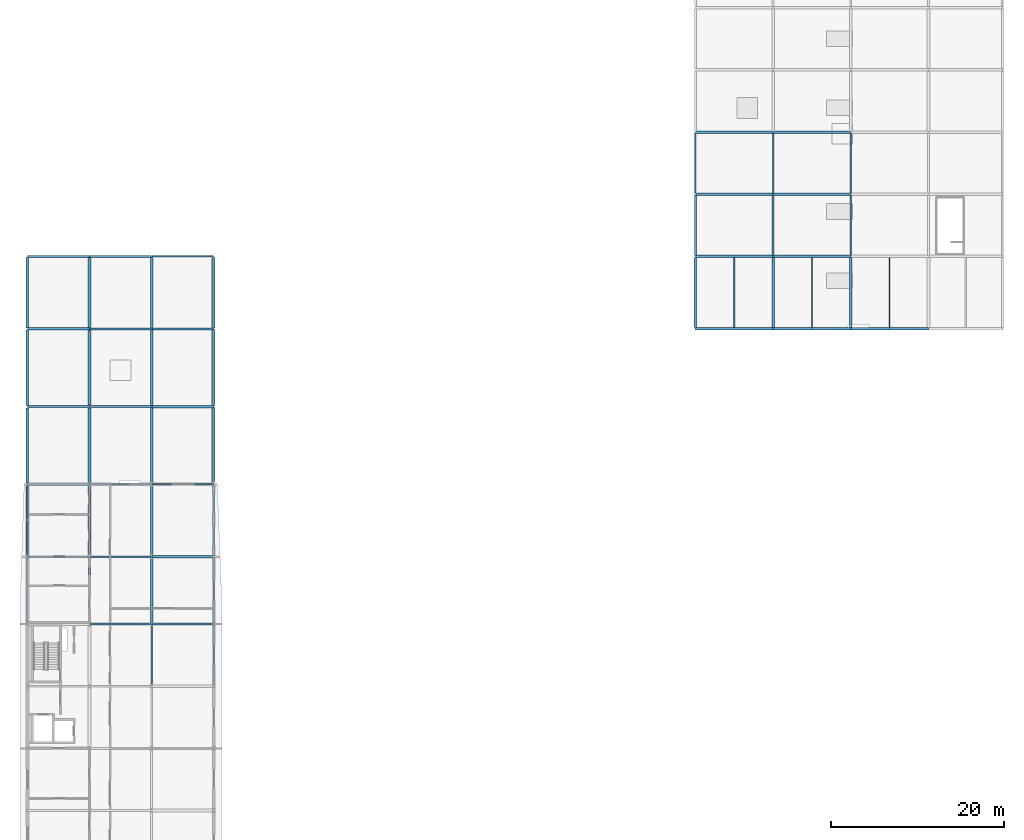
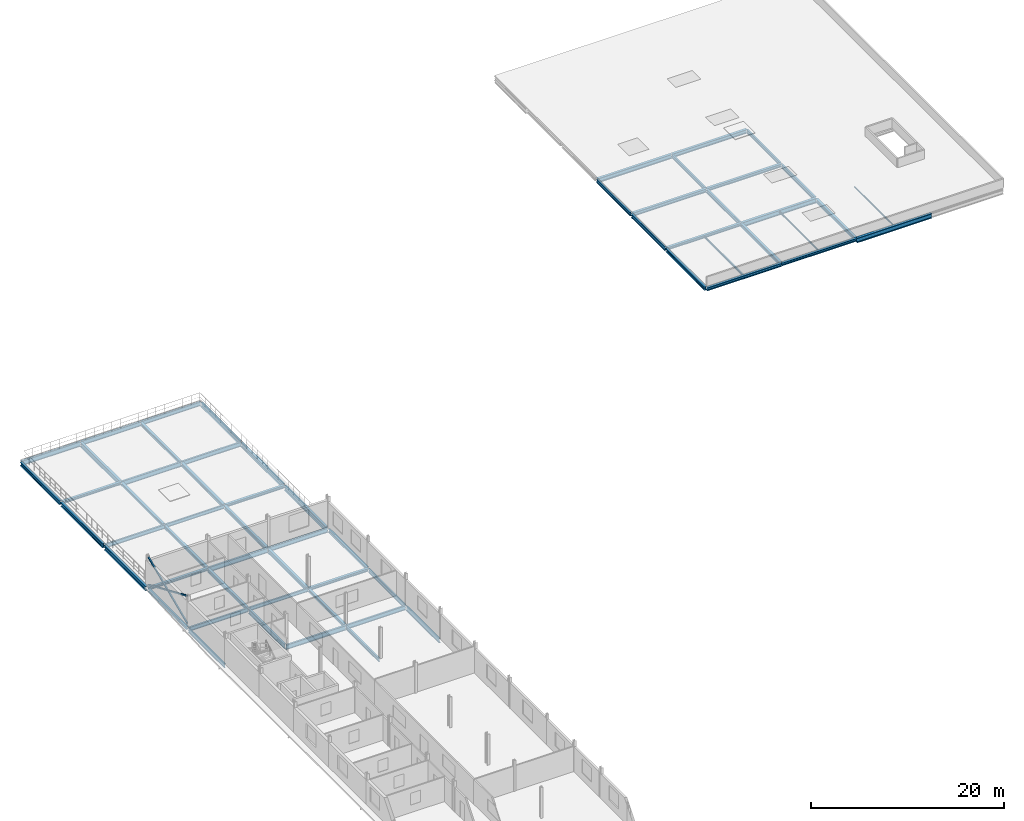
# One storey, part 5 of 17: 60 beams, 3 members.
"""IFC4 building model written with IfcOpenShell, lengths in metres."""

from ifc_helpers import new_model, si_unit, direction, frame, origin, origin_2d, place, context, subcontext, project, spatial, hollow_rectangle, i_section, extrude, material, material_profile, profile_set, type_object, element, save


model = new_model("IFC4")

# Units and contexts
model_context = context("Model", 3, precision=1e-05, world=origin(), true_north=direction((0.0, 1.0)))
body_context = subcontext(model_context, "Body", "Model", "MODEL_VIEW")
ifc_project = project(units=[si_unit("LENGTHUNIT", "METRE"), si_unit("AREAUNIT", "SQUARE_METRE"), si_unit("VOLUMEUNIT", "CUBIC_METRE"), si_unit("PLANEANGLEUNIT", "RADIAN"), si_unit("MASSUNIT", "GRAM", prefix="KILO")], contexts=[model_context])

# Site, building, storey
site_placement = place(None, origin())
site = spatial("IfcSite", under=ifc_project, at=site_placement, CompositionType="ELEMENT")
building_placement = place(site_placement, origin())
building = spatial("IfcBuilding", under=site, at=building_placement, Name="Vinh Khe Railworks Police Headquarters", CompositionType="ELEMENT")
storey_placement = place(building_placement, frame((0.0, 0.0, 24.89990234375)))
storey = spatial("IfcBuildingStorey", under=building, at=storey_placement, Name="L06", CompositionType="ELEMENT", Elevation=24.89990234375)

# Members
ifc_material = material(Name="Steel S355JR", Category="steel")
ifc_material_profile_1 = material_profile(ifc_material, hollow_rectangle(XDim=0.159912109375, YDim=0.159912109375, WallThickness=0.010009765625, at=origin_2d()), Name="SHS 160x160x10")
ifc_profile_set_1 = profile_set([ifc_material_profile_1], Name="Steel S355JR")
member_type = type_object("IfcMemberType", Name="Concentric Brace SHS 160x160x10", PredefinedType="BRACE", material=ifc_profile_set_1)
member_1_placement = place(storey_placement, frame((0.60009765625, 96.175048828125, 0.2001953125), z_axis=(0.0, 0.917878840109, 0.396860724788), x_axis=(-1.0, 0.0, 0.0)))
element("IfcMember", 1, at=member_1_placement, inside=storey, type_object=member_type, Name="Continuous Concentric Brace MEM-BR-L06-BR-04-043", PredefinedType="BRACE", context=body_context, shape_type="SweptSolid", body=[
    extrude(hollow_rectangle(XDim=0.159912109375, YDim=0.159912109375, WallThickness=0.010009765625, at=origin_2d()), origin(), (0.0, 0.0, 1.0), 8.8193359375),
])
member_2_placement = place(storey_placement, frame((0.60009765625, 96.175048828125, 3.7001953125), z_axis=(0.0, 0.917867592773, -0.396886737164), x_axis=(-1.0, 0.0, 0.0)))
element("IfcMember", 2, at=member_2_placement, inside=storey, type_object=member_type, Name="Split X-Brace Segment MEM-BR-L06-BR-04-044 (2A)", PredefinedType="BRACE", context=body_context, shape_type="SweptSolid", body=[
    extrude(hollow_rectangle(XDim=0.159912109375, YDim=0.159912109375, WallThickness=0.010009765625, at=origin_2d()), origin(), (0.0, 0.0, 1.0), 4.326171875),
])
member_3_placement = place(storey_placement, frame((0.60009765625, 100.298828125, 1.9169921875), z_axis=(0.0, 0.917897036117, -0.396818637525), x_axis=(-1.0, 0.0, 0.0)))
element("IfcMember", 3, at=member_3_placement, inside=storey, type_object=member_type, Name="Split X-Brace Segment MEM-BR-L06-BR-04-045 (2B)", PredefinedType="BRACE", context=body_context, shape_type="SweptSolid", body=[
    extrude(hollow_rectangle(XDim=0.159912109375, YDim=0.159912109375, WallThickness=0.010009765625, at=origin_2d()), origin(), (0.0, 0.0, 1.0), 4.326416015625),
])

# Beams
ifc_material_profile_2 = material_profile(ifc_material, i_section(OverallWidth=0.08203125, OverallDepth=0.159912109375, WebThickness=0.0048828125, FlangeThickness=0.00732421875, FilletRadius=0.009033203125, at=origin_2d()), Name="IPE 160")
ifc_profile_set_2 = profile_set([ifc_material_profile_2], Name="Steel S355JR")
beam_type_1 = type_object("IfcBeamType", Name="Secondary Joist IPE 160", PredefinedType="JOIST", material=ifc_profile_set_2)
beam_1_placement = place(storey_placement, frame((100.5, 122.550048828125, -0.27978515625), z_axis=(0.0, 1.0, 0.0), x_axis=(-1.0, 0.0, 0.0)))
element("IfcBeam", 4, at=beam_1_placement, inside=storey, type_object=beam_type_1, Name="Secondary Joist JST-L06-SJ-08-0047", PredefinedType="JOIST", context=body_context, shape_type="SweptSolid", body=[
    extrude(i_section(OverallWidth=0.08203125, OverallDepth=0.159912109375, WebThickness=0.0048828125, FlangeThickness=0.00732421875, FilletRadius=0.009033203125, at=origin_2d()), origin(), (0.0, 0.0, 1.0), 8.099853515625),
])
ifc_material_profile_3 = material_profile(ifc_material, i_section(OverallWidth=0.10009765625, OverallDepth=0.199951171875, WebThickness=0.005615234375, FlangeThickness=0.008544921875, FilletRadius=0.011962890625, at=origin_2d()), Name="IPE 200")
ifc_profile_set_3 = profile_set([ifc_material_profile_3], Name="Steel S355JR")
beam_type_2 = type_object("IfcBeamType", Name="Secondary Joist IPE 200", PredefinedType="JOIST", material=ifc_profile_set_3)
beam_2_placement = place(storey_placement, frame((91.5, 122.550048828125, -0.2998046875), z_axis=(0.0, 1.0, 0.0), x_axis=(-1.0, 0.0, 0.0)))
element("IfcBeam", 5, at=beam_2_placement, inside=storey, type_object=beam_type_2, Name="Secondary Joist JST-L06-SJ-06-0046", PredefinedType="JOIST", context=body_context, shape_type="SweptSolid", body=[
    extrude(i_section(OverallWidth=0.10009765625, OverallDepth=0.199951171875, WebThickness=0.005615234375, FlangeThickness=0.008544921875, FilletRadius=0.011962890625, at=origin_2d()), origin(), (0.0, 0.0, 1.0), 8.099853515625),
])
ifc_material_profile_4 = material_profile(ifc_material, i_section(OverallWidth=0.1201171875, OverallDepth=0.239990234375, WebThickness=0.006103515625, FlangeThickness=0.009765625, FilletRadius=0.014892578125, at=origin_2d()), Name="IPE 240")
ifc_profile_set_4 = profile_set([ifc_material_profile_4], Name="Steel S355JR")
beam_type_3 = type_object("IfcBeamType", Name="Secondary Joist IPE 240", PredefinedType="JOIST", material=ifc_profile_set_4)
beam_3_placement = place(storey_placement, frame((82.5, 122.550048828125, -0.31982421875), z_axis=(0.0, 1.0, 0.0), x_axis=(-1.0, 0.0, 0.0)))
element("IfcBeam", 6, at=beam_3_placement, inside=storey, type_object=beam_type_3, Name="Secondary Joist JST-L06-SJ-04-0045", PredefinedType="JOIST", context=body_context, shape_type="SweptSolid", body=[
    extrude(i_section(OverallWidth=0.1201171875, OverallDepth=0.239990234375, WebThickness=0.006103515625, FlangeThickness=0.009765625, FilletRadius=0.014892578125, at=origin_2d()), origin(), (0.0, 0.0, 1.0), 8.099853515625),
])
ifc_material_profile_5 = material_profile(ifc_material, i_section(OverallWidth=0.300048828125, OverallDepth=0.330078125, WebThickness=0.009521484375, FlangeThickness=0.0166015625, FilletRadius=0.027099609375, at=origin_2d()), Name="HEA 340")
ifc_profile_set_5 = profile_set([ifc_material_profile_5], Name="Steel S355JR")
beam_type_4 = type_object("IfcBeamType", Name="Steel Girder HEA 340", PredefinedType="BEAM", material=ifc_profile_set_5)
for number, where, z_axis, x_axis, name in (
    (7, (0.6201171875, 104.39990234375, -0.364990234375), (1.0, 0.0, 0.0), (0.0, 1.0, 0.0), "Girder BM-L06-EW-SB-16-1706"),
    (8, (0.6201171875, 122.39990234375, -0.364990234375), (1.0, 0.0, 0.0), (0.0, 1.0, 0.0), "Girder BM-L06-EW-SB-16-1712"),
):
    element("IfcBeam", number, at=place(storey_placement, frame(where, z_axis=z_axis, x_axis=x_axis)), inside=storey, type_object=beam_type_4, Name=name, PredefinedType="BEAM", context=body_context, shape_type="SweptSolid", body=[
        extrude(i_section(OverallWidth=0.300048828125, OverallDepth=0.330078125, WebThickness=0.009521484375, FlangeThickness=0.0166015625, FilletRadius=0.027099609375, at=origin_2d()), origin(), (0.0, 0.0, 1.0), 7.159912109375),
    ])
ifc_material_profile_6 = material_profile(ifc_material, i_section(OverallWidth=0.300048828125, OverallDepth=0.35009765625, WebThickness=0.010009765625, FlangeThickness=0.017578125, FilletRadius=0.027099609375, at=origin_2d()), Name="HEA 360")
ifc_profile_set_6 = profile_set([ifc_material_profile_6], Name="Steel S355JR")
beam_type_5 = type_object("IfcBeamType", Name="Steel Girder HEA 360", PredefinedType="BEAM", material=ifc_profile_set_6)
for number, where, z_axis, x_axis, name in (
    (9, (15.02001953125, 96.0, -0.375), (1.0, 0.0, 0.0), (0.0, 1.0, 0.0), "Girder BM-L06-EW-SB-15-1705"),
    (10, (15.02001953125, 113.39990234375, -0.375), (1.0, 0.0, 0.0), (0.0, 1.0, 0.0), "Girder BM-L06-EW-SB-15-1711"),
):
    element("IfcBeam", number, at=place(storey_placement, frame(where, z_axis=z_axis, x_axis=x_axis)), inside=storey, type_object=beam_type_5, Name=name, PredefinedType="BEAM", context=body_context, shape_type="SweptSolid", body=[
        extrude(i_section(OverallWidth=0.300048828125, OverallDepth=0.35009765625, WebThickness=0.010009765625, FlangeThickness=0.017578125, FilletRadius=0.027099609375, at=origin_2d()), origin(), (0.0, 0.0, 1.0), 7.159912109375),
    ])
for number, where, z_axis, x_axis, name in (
    (11, (87.02001953125, 122.39990234375, -0.375), (1.0, 0.0, 0.0), (0.0, 1.0, 0.0), "Girder BM-L06-EW-SB-15-1716"),
    (12, (78.02001953125, 130.800048828125, -0.375), (1.0, 0.0, 0.0), (0.0, 1.0, 0.0), "Girder BM-L06-EW-SB-15-1722"),
):
    element("IfcBeam", number, at=place(storey_placement, frame(where, z_axis=z_axis, x_axis=x_axis)), inside=storey, type_object=beam_type_5, Name=name, PredefinedType="BEAM", context=body_context, shape_type="SweptSolid", body=[
        extrude(i_section(OverallWidth=0.300048828125, OverallDepth=0.35009765625, WebThickness=0.010009765625, FlangeThickness=0.017578125, FilletRadius=0.027099609375, at=origin_2d()), origin(), (0.0, 0.0, 1.0), 8.9599609375),
    ])
beam_4_placement = place(storey_placement, frame((0.60009765625, 96.14990234375, -0.375), z_axis=(0.0, 1.0, 0.0), x_axis=(-1.0, 0.0, 0.0)))
element("IfcBeam", 13, at=beam_4_placement, inside=storey, type_object=beam_type_5, Name="Girder BM-L06-NS-SB-15-1758", PredefinedType="BEAM", context=body_context, shape_type="SweptSolid", body=[
    extrude(i_section(OverallWidth=0.300048828125, OverallDepth=0.35009765625, WebThickness=0.010009765625, FlangeThickness=0.017578125, FilletRadius=0.027099609375, at=origin_2d()), origin(), (0.0, 0.0, 1.0), 8.02001953125),
])
beam_5_placement = place(storey_placement, frame((7.800048828125, 113.554931640625, -0.375), z_axis=(0.0, 1.0, 0.0), x_axis=(-1.0, 0.0, 0.0)))
element("IfcBeam", 14, at=beam_5_placement, inside=storey, type_object=beam_type_5, Name="Girder BM-L06-NS-SB-15-1776", PredefinedType="BEAM", context=body_context, shape_type="SweptSolid", body=[
    extrude(i_section(OverallWidth=0.300048828125, OverallDepth=0.35009765625, WebThickness=0.010009765625, FlangeThickness=0.017578125, FilletRadius=0.027099609375, at=origin_2d()), origin(), (0.0, 0.0, 1.0), 8.699951171875),
])
beam_6_placement = place(storey_placement, frame((15.0, 88.405029296875, -0.375), z_axis=(0.0, 1.0, 0.0), x_axis=(-1.0, 0.0, 0.0)))
element("IfcBeam", 15, at=beam_6_placement, inside=storey, type_object=beam_type_5, Name="Girder BM-L06-NS-SB-15-1789", PredefinedType="BEAM", context=body_context, shape_type="SweptSolid", body=[
    extrude(i_section(OverallWidth=0.300048828125, OverallDepth=0.35009765625, WebThickness=0.010009765625, FlangeThickness=0.017578125, FilletRadius=0.027099609375, at=origin_2d()), origin(), (0.0, 0.0, 1.0), 7.4150390625),
])
beam_7_placement = place(storey_placement, frame((22.199951171875, 96.110107421875, -0.375), z_axis=(0.0, 1.0, 0.0), x_axis=(-1.0, 0.0, 0.0)))
element("IfcBeam", 16, at=beam_7_placement, inside=storey, type_object=beam_type_5, Name="Girder BM-L06-NS-SB-15-1806", PredefinedType="BEAM", context=body_context, shape_type="SweptSolid", body=[
    extrude(i_section(OverallWidth=0.300048828125, OverallDepth=0.35009765625, WebThickness=0.010009765625, FlangeThickness=0.017578125, FilletRadius=0.027099609375, at=origin_2d()), origin(), (0.0, 0.0, 1.0), 8.06494140625),
])
ifc_material_profile_7 = material_profile(ifc_material, i_section(OverallWidth=0.300048828125, OverallDepth=0.389892578125, WebThickness=0.010986328125, FlangeThickness=0.01904296875, FilletRadius=0.027099609375, at=origin_2d()), Name="HEA 400")
ifc_profile_set_7 = profile_set([ifc_material_profile_7], Name="Steel S355JR")
beam_type_6 = type_object("IfcBeamType", Name="Steel Girder HEA 400", PredefinedType="BEAM", material=ifc_profile_set_7)
for number, where, z_axis, x_axis, name in (
    (17, (78.02001953125, 122.39990234375, -0.39501953125), (1.0, 0.0, 0.0), (0.0, 1.0, 0.0), "Girder BM-L06-EW-SB-14-1715"),
    (18, (87.02001953125, 138.0, -0.39501953125), (1.0, 0.0, 0.0), (0.0, 1.0, 0.0), "Girder BM-L06-EW-SB-14-1727"),
):
    element("IfcBeam", number, at=place(storey_placement, frame(where, z_axis=z_axis, x_axis=x_axis)), inside=storey, type_object=beam_type_6, Name=name, PredefinedType="BEAM", context=body_context, shape_type="SweptSolid", body=[
        extrude(i_section(OverallWidth=0.300048828125, OverallDepth=0.389892578125, WebThickness=0.010986328125, FlangeThickness=0.01904296875, FilletRadius=0.027099609375, at=origin_2d()), origin(), (0.0, 0.0, 1.0), 8.9599609375),
    ])
beam_8_placement = place(storey_placement, frame((7.800048828125, 104.550048828125, -0.39501953125), z_axis=(0.0, 1.0, 0.0), x_axis=(-1.0, 0.0, 0.0)))
element("IfcBeam", 19, at=beam_8_placement, inside=storey, type_object=beam_type_6, Name="Girder BM-L06-NS-SB-14-1775", PredefinedType="BEAM", context=body_context, shape_type="SweptSolid", body=[
    extrude(i_section(OverallWidth=0.300048828125, OverallDepth=0.389892578125, WebThickness=0.010986328125, FlangeThickness=0.01904296875, FilletRadius=0.027099609375, at=origin_2d()), origin(), (0.0, 0.0, 1.0), 8.695068359375),
])
beam_9_placement = place(storey_placement, frame((15.0, 122.554931640625, -0.39501953125), z_axis=(0.0, 1.0, 0.0), x_axis=(-1.0, 0.0, 0.0)))
element("IfcBeam", 20, at=beam_9_placement, inside=storey, type_object=beam_type_6, Name="Girder BM-L06-NS-SB-14-1793", PredefinedType="BEAM", context=body_context, shape_type="SweptSolid", body=[
    extrude(i_section(OverallWidth=0.300048828125, OverallDepth=0.389892578125, WebThickness=0.010986328125, FlangeThickness=0.01904296875, FilletRadius=0.027099609375, at=origin_2d()), origin(), (0.0, 0.0, 1.0), 8.10009765625),
])
ifc_material_profile_8 = material_profile(ifc_material, i_section(OverallWidth=0.300048828125, OverallDepth=0.43994140625, WebThickness=0.011474609375, FlangeThickness=0.02099609375, FilletRadius=0.027099609375, at=origin_2d()), Name="HEA 450")
ifc_profile_set_8 = profile_set([ifc_material_profile_8], Name="Steel S355JR")
beam_type_7 = type_object("IfcBeamType", Name="Steel Girder HEA 450", PredefinedType="BEAM", material=ifc_profile_set_8)
beam_10_placement = place(storey_placement, frame((78.02001953125, 138.0, -0.419921875), z_axis=(1.0, 0.0, 0.0), x_axis=(0.0, 1.0, 0.0)))
element("IfcBeam", 21, at=beam_10_placement, inside=storey, type_object=beam_type_7, Name="Girder BM-L06-EW-SB-13-1726", PredefinedType="BEAM", context=body_context, shape_type="SweptSolid", body=[
    extrude(i_section(OverallWidth=0.300048828125, OverallDepth=0.43994140625, WebThickness=0.011474609375, FlangeThickness=0.02099609375, FilletRadius=0.027099609375, at=origin_2d()), origin(), (0.0, 0.0, 1.0), 8.9599609375),
])
beam_11_placement = place(storey_placement, frame((7.800048828125, 96.159912109375, -0.419921875), z_axis=(0.0, 1.0, 0.0), x_axis=(-1.0, 0.0, 0.0)))
element("IfcBeam", 22, at=beam_11_placement, inside=storey, type_object=beam_type_7, Name="Girder BM-L06-NS-SB-13-1774", PredefinedType="BEAM", context=body_context, shape_type="SweptSolid", body=[
    extrude(i_section(OverallWidth=0.300048828125, OverallDepth=0.43994140625, WebThickness=0.011474609375, FlangeThickness=0.02099609375, FilletRadius=0.027099609375, at=origin_2d()), origin(), (0.0, 0.0, 1.0), 8.090087890625),
])
beam_12_placement = place(storey_placement, frame((15.0, 113.4951171875, -0.419921875), z_axis=(0.0, 1.0, 0.0), x_axis=(-1.0, 0.0, 0.0)))
element("IfcBeam", 23, at=beam_12_placement, inside=storey, type_object=beam_type_7, Name="Girder BM-L06-NS-SB-13-1792", PredefinedType="BEAM", context=body_context, shape_type="SweptSolid", body=[
    extrude(i_section(OverallWidth=0.300048828125, OverallDepth=0.43994140625, WebThickness=0.011474609375, FlangeThickness=0.02099609375, FilletRadius=0.027099609375, at=origin_2d()), origin(), (0.0, 0.0, 1.0), 8.75),
])
for number, where, z_axis, x_axis, name in (
    (24, (78.0, 122.544921875, -0.419921875), (0.0, 1.0, 0.0), (-1.0, 0.0, 0.0), "Girder BM-L06-NS-SB-13-1810"),
    (25, (87.0, 122.544921875, -0.419921875), (0.0, 1.0, 0.0), (-1.0, 0.0, 0.0), "Girder BM-L06-NS-SB-13-1816"),
    (26, (96.0, 122.544921875, -0.419921875), (0.0, 1.0, 0.0), (-1.0, 0.0, 0.0), "Girder BM-L06-NS-SB-13-1822"),
):
    element("IfcBeam", number, at=place(storey_placement, frame(where, z_axis=z_axis, x_axis=x_axis)), inside=storey, type_object=beam_type_7, Name=name, PredefinedType="BEAM", context=body_context, shape_type="SweptSolid", body=[
        extrude(i_section(OverallWidth=0.300048828125, OverallDepth=0.43994140625, WebThickness=0.011474609375, FlangeThickness=0.02099609375, FilletRadius=0.027099609375, at=origin_2d()), origin(), (0.0, 0.0, 1.0), 8.130126953125),
    ])
ifc_material_profile_9 = material_profile(ifc_material, i_section(OverallWidth=0.300048828125, OverallDepth=0.489990234375, WebThickness=0.011962890625, FlangeThickness=0.02294921875, FilletRadius=0.027099609375, at=origin_2d()), Name="HEA 500")
ifc_profile_set_9 = profile_set([ifc_material_profile_9], Name="Steel S355JR")
beam_type_8 = type_object("IfcBeamType", Name="Steel Girder HEA 500", PredefinedType="BEAM", material=ifc_profile_set_9)
beam_13_placement = place(storey_placement, frame((87.02001953125, 145.199951171875, -0.44482421875), z_axis=(1.0, 0.0, 0.0), x_axis=(0.0, 1.0, 0.0)))
element("IfcBeam", 27, at=beam_13_placement, inside=storey, type_object=beam_type_8, Name="Girder BM-L06-EW-SB-12-1731", PredefinedType="BEAM", context=body_context, shape_type="SweptSolid", body=[
    extrude(i_section(OverallWidth=0.300048828125, OverallDepth=0.489990234375, WebThickness=0.011962890625, FlangeThickness=0.02294921875, FilletRadius=0.027099609375, at=origin_2d()), origin(), (0.0, 0.0, 1.0), 8.9599609375),
])
beam_14_placement = place(storey_placement, frame((0.60009765625, 122.52490234375, -0.44482421875), z_axis=(0.0, 1.0, 0.0), x_axis=(-1.0, 0.0, 0.0)))
element("IfcBeam", 28, at=beam_14_placement, inside=storey, type_object=beam_type_8, Name="Girder BM-L06-NS-SB-12-1761", PredefinedType="BEAM", context=body_context, shape_type="SweptSolid", body=[
    extrude(i_section(OverallWidth=0.300048828125, OverallDepth=0.489990234375, WebThickness=0.011962890625, FlangeThickness=0.02294921875, FilletRadius=0.027099609375, at=origin_2d()), origin(), (0.0, 0.0, 1.0), 8.16015625),
])
beam_15_placement = place(storey_placement, frame((15.0, 104.56005859375, -0.44482421875), z_axis=(0.0, 1.0, 0.0), x_axis=(-1.0, 0.0, 0.0)))
element("IfcBeam", 29, at=beam_15_placement, inside=storey, type_object=beam_type_8, Name="Girder BM-L06-NS-SB-12-1791", PredefinedType="BEAM", context=body_context, shape_type="SweptSolid", body=[
    extrude(i_section(OverallWidth=0.300048828125, OverallDepth=0.489990234375, WebThickness=0.011962890625, FlangeThickness=0.02294921875, FilletRadius=0.027099609375, at=origin_2d()), origin(), (0.0, 0.0, 1.0), 8.744873046875),
])
beam_16_placement = place(storey_placement, frame((22.199951171875, 122.4951171875, -0.44482421875), z_axis=(0.0, 1.0, 0.0), x_axis=(-1.0, 0.0, 0.0)))
element("IfcBeam", 30, at=beam_16_placement, inside=storey, type_object=beam_type_8, Name="Girder BM-L06-NS-SB-12-1809", PredefinedType="BEAM", context=body_context, shape_type="SweptSolid", body=[
    extrude(i_section(OverallWidth=0.300048828125, OverallDepth=0.489990234375, WebThickness=0.011962890625, FlangeThickness=0.02294921875, FilletRadius=0.027099609375, at=origin_2d()), origin(), (0.0, 0.0, 1.0), 8.14990234375),
])
ifc_material_profile_10 = material_profile(ifc_material, i_section(OverallWidth=0.300048828125, OverallDepth=0.5400390625, WebThickness=0.012451171875, FlangeThickness=0.02392578125, FilletRadius=0.027099609375, at=origin_2d()), Name="HEA 550")
ifc_profile_set_10 = profile_set([ifc_material_profile_10], Name="Steel S355JR")
beam_type_9 = type_object("IfcBeamType", Name="Steel Girder HEA 550", PredefinedType="BEAM", material=ifc_profile_set_10)
beam_17_placement = place(storey_placement, frame((78.02001953125, 145.199951171875, -0.469970703125), z_axis=(1.0, 0.0, 0.0), x_axis=(0.0, 1.0, 0.0)))
element("IfcBeam", 31, at=beam_17_placement, inside=storey, type_object=beam_type_9, Name="Girder BM-L06-EW-SB-11-1730", PredefinedType="BEAM", context=body_context, shape_type="SweptSolid", body=[
    extrude(i_section(OverallWidth=0.300048828125, OverallDepth=0.5400390625, WebThickness=0.012451171875, FlangeThickness=0.02392578125, FilletRadius=0.027099609375, at=origin_2d()), origin(), (0.0, 0.0, 1.0), 8.9599609375),
])
beam_18_placement = place(storey_placement, frame((0.60009765625, 113.544921875, -0.469970703125), z_axis=(0.0, 1.0, 0.0), x_axis=(-1.0, 0.0, 0.0)))
element("IfcBeam", 32, at=beam_18_placement, inside=storey, type_object=beam_type_9, Name="Girder BM-L06-NS-SB-11-1760", PredefinedType="BEAM", context=body_context, shape_type="SweptSolid", body=[
    extrude(i_section(OverallWidth=0.300048828125, OverallDepth=0.5400390625, WebThickness=0.012451171875, FlangeThickness=0.02392578125, FilletRadius=0.027099609375, at=origin_2d()), origin(), (0.0, 0.0, 1.0), 8.72998046875),
])
beam_19_placement = place(storey_placement, frame((15.0, 96.179931640625, -0.469970703125), z_axis=(0.0, 1.0, 0.0), x_axis=(-1.0, 0.0, 0.0)))
element("IfcBeam", 33, at=beam_19_placement, inside=storey, type_object=beam_type_9, Name="Girder BM-L06-NS-SB-11-1790", PredefinedType="BEAM", context=body_context, shape_type="SweptSolid", body=[
    extrude(i_section(OverallWidth=0.300048828125, OverallDepth=0.5400390625, WebThickness=0.012451171875, FlangeThickness=0.02392578125, FilletRadius=0.027099609375, at=origin_2d()), origin(), (0.0, 0.0, 1.0), 8.06005859375),
])
beam_20_placement = place(storey_placement, frame((22.199951171875, 113.514892578125, -0.469970703125), z_axis=(0.0, 1.0, 0.0), x_axis=(-1.0, 0.0, 0.0)))
element("IfcBeam", 34, at=beam_20_placement, inside=storey, type_object=beam_type_9, Name="Girder BM-L06-NS-SB-11-1808", PredefinedType="BEAM", context=body_context, shape_type="SweptSolid", body=[
    extrude(i_section(OverallWidth=0.300048828125, OverallDepth=0.5400390625, WebThickness=0.012451171875, FlangeThickness=0.02392578125, FilletRadius=0.027099609375, at=origin_2d()), origin(), (0.0, 0.0, 1.0), 8.7900390625),
])
ifc_material_profile_11 = material_profile(ifc_material, i_section(OverallWidth=0.300048828125, OverallDepth=0.590087890625, WebThickness=0.012939453125, FlangeThickness=0.02490234375, FilletRadius=0.027099609375, at=origin_2d()), Name="HEA 600")
ifc_profile_set_11 = profile_set([ifc_material_profile_11], Name="Steel S355JR")
beam_type_10 = type_object("IfcBeamType", Name="Steel Girder HEA 600", PredefinedType="BEAM", material=ifc_profile_set_11)
for number, where, z_axis, x_axis, name in (
    (35, (96.02001953125, 122.39990234375, -0.494873046875), (1.0, 0.0, 0.0), (0.0, 1.0, 0.0), "Girder BM-L06-EW-SB-10-1717"),
    (36, (87.02001953125, 130.800048828125, -0.494873046875), (1.0, 0.0, 0.0), (0.0, 1.0, 0.0), "Girder BM-L06-EW-SB-10-1723"),
):
    element("IfcBeam", number, at=place(storey_placement, frame(where, z_axis=z_axis, x_axis=x_axis)), inside=storey, type_object=beam_type_10, Name=name, PredefinedType="BEAM", context=body_context, shape_type="SweptSolid", body=[
        extrude(i_section(OverallWidth=0.300048828125, OverallDepth=0.590087890625, WebThickness=0.012939453125, FlangeThickness=0.02490234375, FilletRadius=0.027099609375, at=origin_2d()), origin(), (0.0, 0.0, 1.0), 8.9599609375),
    ])
beam_21_placement = place(storey_placement, frame((0.60009765625, 104.6298828125, -0.494873046875), z_axis=(0.0, 1.0, 0.0), x_axis=(-1.0, 0.0, 0.0)))
element("IfcBeam", 37, at=beam_21_placement, inside=storey, type_object=beam_type_10, Name="Girder BM-L06-NS-SB-10-1759", PredefinedType="BEAM", context=body_context, shape_type="SweptSolid", body=[
    extrude(i_section(OverallWidth=0.300048828125, OverallDepth=0.590087890625, WebThickness=0.012939453125, FlangeThickness=0.02490234375, FilletRadius=0.027099609375, at=origin_2d()), origin(), (0.0, 0.0, 1.0), 8.625),
])
beam_22_placement = place(storey_placement, frame((7.800048828125, 122.544921875, -0.494873046875), z_axis=(0.0, 1.0, 0.0), x_axis=(-1.0, 0.0, 0.0)))
element("IfcBeam", 38, at=beam_22_placement, inside=storey, type_object=beam_type_10, Name="Girder BM-L06-NS-SB-10-1777", PredefinedType="BEAM", context=body_context, shape_type="SweptSolid", body=[
    extrude(i_section(OverallWidth=0.300048828125, OverallDepth=0.590087890625, WebThickness=0.012939453125, FlangeThickness=0.02490234375, FilletRadius=0.027099609375, at=origin_2d()), origin(), (0.0, 0.0, 1.0), 8.130126953125),
])
beam_23_placement = place(storey_placement, frame((22.199951171875, 104.625, -0.494873046875), z_axis=(0.0, 1.0, 0.0), x_axis=(-1.0, 0.0, 0.0)))
element("IfcBeam", 39, at=beam_23_placement, inside=storey, type_object=beam_type_10, Name="Girder BM-L06-NS-SB-10-1807", PredefinedType="BEAM", context=body_context, shape_type="SweptSolid", body=[
    extrude(i_section(OverallWidth=0.300048828125, OverallDepth=0.590087890625, WebThickness=0.012939453125, FlangeThickness=0.02490234375, FilletRadius=0.027099609375, at=origin_2d()), origin(), (0.0, 0.0, 1.0), 8.659912109375),
])
ifc_material_profile_12 = material_profile(ifc_material, i_section(OverallWidth=0.18994140625, OverallDepth=0.449951171875, WebThickness=0.009521484375, FlangeThickness=0.0146484375, FilletRadius=0.02099609375, at=origin_2d()), Name="IPE 450")
ifc_profile_set_12 = profile_set([ifc_material_profile_12], Name="Steel S355JR")
beam_type_11 = type_object("IfcBeamType", Name="Steel Girder IPE 450", PredefinedType="BEAM", material=ifc_profile_set_12)
for number, where, z_axis, x_axis, name in (
    (40, (7.820068359375, 96.0, -0.4248046875), (1.0, 0.0, 0.0), (0.0, 1.0, 0.0), "Girder BM-L06-EW-SB-20-1704"),
    (41, (7.820068359375, 113.39990234375, -0.4248046875), (1.0, 0.0, 0.0), (0.0, 1.0, 0.0), "Girder BM-L06-EW-SB-20-1710"),
):
    element("IfcBeam", number, at=place(storey_placement, frame(where, z_axis=z_axis, x_axis=x_axis)), inside=storey, type_object=beam_type_11, Name=name, PredefinedType="BEAM", context=body_context, shape_type="SweptSolid", body=[
        extrude(i_section(OverallWidth=0.18994140625, OverallDepth=0.449951171875, WebThickness=0.009521484375, FlangeThickness=0.0146484375, FilletRadius=0.02099609375, at=origin_2d()), origin(), (0.0, 0.0, 1.0), 7.159912109375),
    ])
beam_24_placement = place(storey_placement, frame((15.0, 81.22998046875, -0.4248046875), z_axis=(0.0, 1.0, 0.0), x_axis=(-1.0, 0.0, 0.0)))
element("IfcBeam", 42, at=beam_24_placement, inside=storey, type_object=beam_type_11, Name="Girder BM-L06-NS-SB-20-1788", PredefinedType="BEAM", context=body_context, shape_type="SweptSolid", body=[
    extrude(i_section(OverallWidth=0.18994140625, OverallDepth=0.449951171875, WebThickness=0.009521484375, FlangeThickness=0.0146484375, FilletRadius=0.02099609375, at=origin_2d()), origin(), (0.0, 0.0, 1.0), 6.76513671875),
])
for number, where, z_axis, x_axis, name in (
    (43, (78.0, 138.114990234375, -0.4248046875), (0.0, 1.0, 0.0), (-1.0, 0.0, 0.0), "Girder BM-L06-NS-SB-20-1812"),
    (44, (87.0, 138.114990234375, -0.4248046875), (0.0, 1.0, 0.0), (-1.0, 0.0, 0.0), "Girder BM-L06-NS-SB-20-1818"),
    (45, (96.0, 138.114990234375, -0.4248046875), (0.0, 1.0, 0.0), (-1.0, 0.0, 0.0), "Girder BM-L06-NS-SB-20-1824"),
):
    element("IfcBeam", number, at=place(storey_placement, frame(where, z_axis=z_axis, x_axis=x_axis)), inside=storey, type_object=beam_type_11, Name=name, PredefinedType="BEAM", context=body_context, shape_type="SweptSolid", body=[
        extrude(i_section(OverallWidth=0.18994140625, OverallDepth=0.449951171875, WebThickness=0.009521484375, FlangeThickness=0.0146484375, FilletRadius=0.02099609375, at=origin_2d()), origin(), (0.0, 0.0, 1.0), 6.989990234375),
    ])
ifc_material_profile_13 = material_profile(ifc_material, i_section(OverallWidth=0.199951171875, OverallDepth=0.5, WebThickness=0.01025390625, FlangeThickness=0.01611328125, FilletRadius=0.02099609375, at=origin_2d()), Name="IPE 500")
ifc_profile_set_13 = profile_set([ifc_material_profile_13], Name="Steel S355JR")
beam_type_12 = type_object("IfcBeamType", Name="Steel Girder IPE 500", PredefinedType="BEAM", material=ifc_profile_set_13)
for number, where, z_axis, x_axis, name in (
    (46, (0.6201171875, 96.0, -0.449951171875), (1.0, 0.0, 0.0), (0.0, 1.0, 0.0), "Girder BM-L06-EW-SB-19-1703"),
    (47, (0.6201171875, 113.39990234375, -0.449951171875), (1.0, 0.0, 0.0), (0.0, 1.0, 0.0), "Girder BM-L06-EW-SB-19-1709"),
    (48, (15.02001953125, 130.800048828125, -0.449951171875), (1.0, 0.0, 0.0), (0.0, 1.0, 0.0), "Girder BM-L06-EW-SB-19-1721"),
):
    element("IfcBeam", number, at=place(storey_placement, frame(where, z_axis=z_axis, x_axis=x_axis)), inside=storey, type_object=beam_type_12, Name=name, PredefinedType="BEAM", context=body_context, shape_type="SweptSolid", body=[
        extrude(i_section(OverallWidth=0.199951171875, OverallDepth=0.5, WebThickness=0.01025390625, FlangeThickness=0.01611328125, FilletRadius=0.02099609375, at=origin_2d()), origin(), (0.0, 0.0, 1.0), 7.159912109375),
    ])
beam_25_placement = place(storey_placement, frame((0.60009765625, 88.360107421875, -0.449951171875), z_axis=(0.0, 1.0, 0.0), x_axis=(-1.0, 0.0, 0.0)))
element("IfcBeam", 49, at=beam_25_placement, inside=storey, type_object=beam_type_12, Name="Girder BM-L06-NS-SB-19-1757", PredefinedType="BEAM", context=body_context, shape_type="SweptSolid", body=[
    extrude(i_section(OverallWidth=0.199951171875, OverallDepth=0.5, WebThickness=0.01025390625, FlangeThickness=0.01611328125, FilletRadius=0.02099609375, at=origin_2d()), origin(), (0.0, 0.0, 1.0), 7.489990234375),
])
beam_26_placement = place(storey_placement, frame((22.199951171875, 88.330078125, -0.449951171875), z_axis=(0.0, 1.0, 0.0), x_axis=(-1.0, 0.0, 0.0)))
element("IfcBeam", 50, at=beam_26_placement, inside=storey, type_object=beam_type_12, Name="Girder BM-L06-NS-SB-19-1805", PredefinedType="BEAM", context=body_context, shape_type="SweptSolid", body=[
    extrude(i_section(OverallWidth=0.199951171875, OverallDepth=0.5, WebThickness=0.01025390625, FlangeThickness=0.01611328125, FilletRadius=0.02099609375, at=origin_2d()), origin(), (0.0, 0.0, 1.0), 7.559814453125),
])
for number, where, z_axis, x_axis, name in (
    (51, (78.0, 130.925048828125, -0.449951171875), (0.0, 1.0, 0.0), (-1.0, 0.0, 0.0), "Girder BM-L06-NS-SB-19-1811"),
    (52, (87.0, 130.925048828125, -0.449951171875), (0.0, 1.0, 0.0), (-1.0, 0.0, 0.0), "Girder BM-L06-NS-SB-19-1817"),
    (53, (96.0, 130.925048828125, -0.449951171875), (0.0, 1.0, 0.0), (-1.0, 0.0, 0.0), "Girder BM-L06-NS-SB-19-1823"),
):
    element("IfcBeam", number, at=place(storey_placement, frame(where, z_axis=z_axis, x_axis=x_axis)), inside=storey, type_object=beam_type_12, Name=name, PredefinedType="BEAM", context=body_context, shape_type="SweptSolid", body=[
        extrude(i_section(OverallWidth=0.199951171875, OverallDepth=0.5, WebThickness=0.01025390625, FlangeThickness=0.01611328125, FilletRadius=0.02099609375, at=origin_2d()), origin(), (0.0, 0.0, 1.0), 6.9599609375),
    ])
ifc_material_profile_14 = material_profile(ifc_material, i_section(OverallWidth=0.2099609375, OverallDepth=0.550048828125, WebThickness=0.010986328125, FlangeThickness=0.01708984375, FilletRadius=0.02392578125, at=origin_2d()), Name="IPE 550")
ifc_profile_set_14 = profile_set([ifc_material_profile_14], Name="Steel S355JR")
beam_type_13 = type_object("IfcBeamType", Name="Steel Girder IPE 550", PredefinedType="BEAM", material=ifc_profile_set_14)
for number, where, z_axis, x_axis, name in (
    (54, (15.02001953125, 88.199951171875, -0.474853515625), (1.0, 0.0, 0.0), (0.0, 1.0, 0.0), "Girder BM-L06-EW-SB-18-1702"),
    (55, (15.02001953125, 104.39990234375, -0.474853515625), (1.0, 0.0, 0.0), (0.0, 1.0, 0.0), "Girder BM-L06-EW-SB-18-1708"),
    (56, (15.02001953125, 122.39990234375, -0.474853515625), (1.0, 0.0, 0.0), (0.0, 1.0, 0.0), "Girder BM-L06-EW-SB-18-1714"),
    (57, (7.820068359375, 130.800048828125, -0.474853515625), (1.0, 0.0, 0.0), (0.0, 1.0, 0.0), "Girder BM-L06-EW-SB-18-1720"),
):
    element("IfcBeam", number, at=place(storey_placement, frame(where, z_axis=z_axis, x_axis=x_axis)), inside=storey, type_object=beam_type_13, Name=name, PredefinedType="BEAM", context=body_context, shape_type="SweptSolid", body=[
        extrude(i_section(OverallWidth=0.2099609375, OverallDepth=0.550048828125, WebThickness=0.010986328125, FlangeThickness=0.01708984375, FilletRadius=0.02392578125, at=origin_2d()), origin(), (0.0, 0.0, 1.0), 7.159912109375),
    ])
beam_27_placement = place(storey_placement, frame((22.199951171875, 81.175048828125, -0.474853515625), z_axis=(0.0, 1.0, 0.0), x_axis=(-1.0, 0.0, 0.0)))
element("IfcBeam", 58, at=beam_27_placement, inside=storey, type_object=beam_type_13, Name="Girder BM-L06-NS-SB-18-1804", PredefinedType="BEAM", context=body_context, shape_type="SweptSolid", body=[
    extrude(i_section(OverallWidth=0.2099609375, OverallDepth=0.550048828125, WebThickness=0.010986328125, FlangeThickness=0.01708984375, FilletRadius=0.02392578125, at=origin_2d()), origin(), (0.0, 0.0, 1.0), 6.89501953125),
])
ifc_material_profile_15 = material_profile(ifc_material, i_section(OverallWidth=0.219970703125, OverallDepth=0.60009765625, WebThickness=0.011962890625, FlangeThickness=0.01904296875, FilletRadius=0.02392578125, at=origin_2d()), Name="IPE 600")
ifc_profile_set_15 = profile_set([ifc_material_profile_15], Name="Steel S355JR")
beam_type_14 = type_object("IfcBeamType", Name="Steel Girder IPE 600", PredefinedType="BEAM", material=ifc_profile_set_15)
for number, where, z_axis, x_axis, name in (
    (59, (7.820068359375, 88.199951171875, -0.5), (1.0, 0.0, 0.0), (0.0, 1.0, 0.0), "Girder BM-L06-EW-SB-17-1701"),
    (60, (7.820068359375, 104.39990234375, -0.5), (1.0, 0.0, 0.0), (0.0, 1.0, 0.0), "Girder BM-L06-EW-SB-17-1707"),
    (61, (7.820068359375, 122.39990234375, -0.5), (1.0, 0.0, 0.0), (0.0, 1.0, 0.0), "Girder BM-L06-EW-SB-17-1713"),
    (62, (0.6201171875, 130.800048828125, -0.5), (1.0, 0.0, 0.0), (0.0, 1.0, 0.0), "Girder BM-L06-EW-SB-17-1719"),
):
    element("IfcBeam", number, at=place(storey_placement, frame(where, z_axis=z_axis, x_axis=x_axis)), inside=storey, type_object=beam_type_14, Name=name, PredefinedType="BEAM", context=body_context, shape_type="SweptSolid", body=[
        extrude(i_section(OverallWidth=0.219970703125, OverallDepth=0.60009765625, WebThickness=0.011962890625, FlangeThickness=0.01904296875, FilletRadius=0.02392578125, at=origin_2d()), origin(), (0.0, 0.0, 1.0), 7.159912109375),
    ])
beam_28_placement = place(storey_placement, frame((7.800048828125, 88.3798828125, -0.5), z_axis=(0.0, 1.0, 0.0), x_axis=(-1.0, 0.0, 0.0)))
element("IfcBeam", 63, at=beam_28_placement, inside=storey, type_object=beam_type_14, Name="Girder BM-L06-NS-SB-17-1773", PredefinedType="BEAM", context=body_context, shape_type="SweptSolid", body=[
    extrude(i_section(OverallWidth=0.219970703125, OverallDepth=0.60009765625, WebThickness=0.011962890625, FlangeThickness=0.01904296875, FilletRadius=0.02392578125, at=origin_2d()), origin(), (0.0, 0.0, 1.0), 7.460205078125),
])

save(model, "model.ifc")
